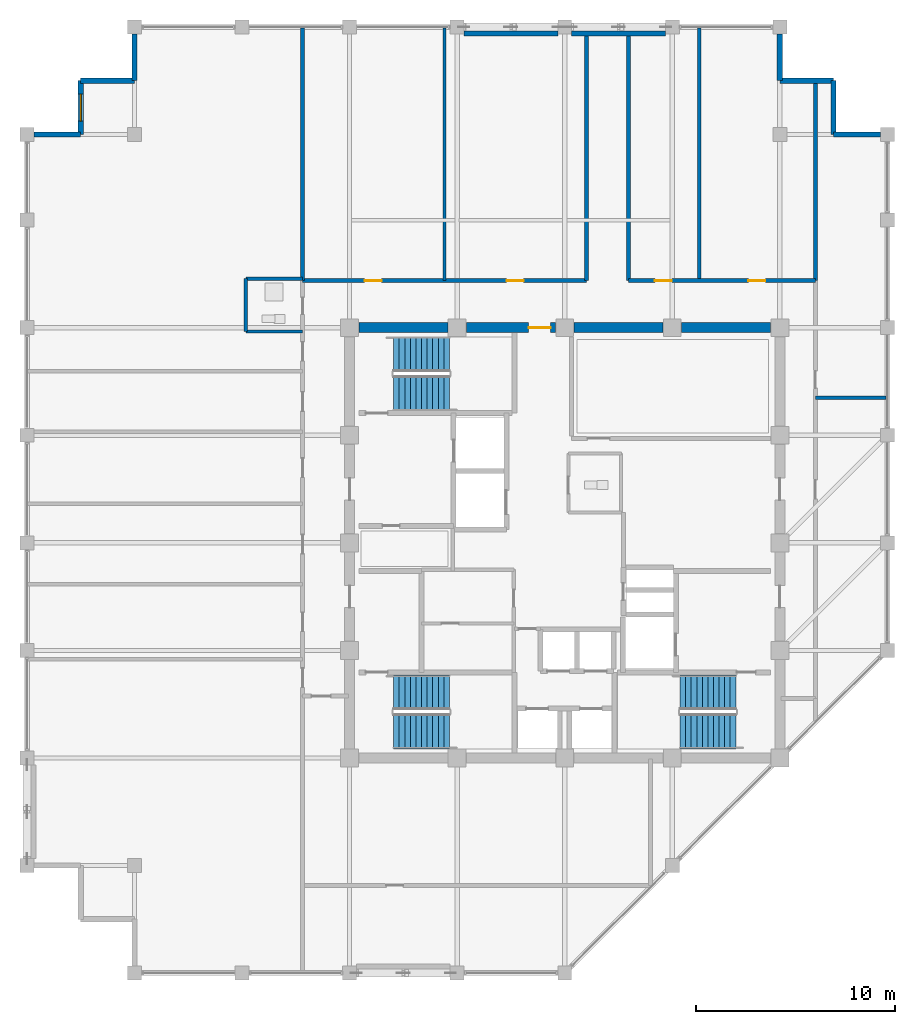
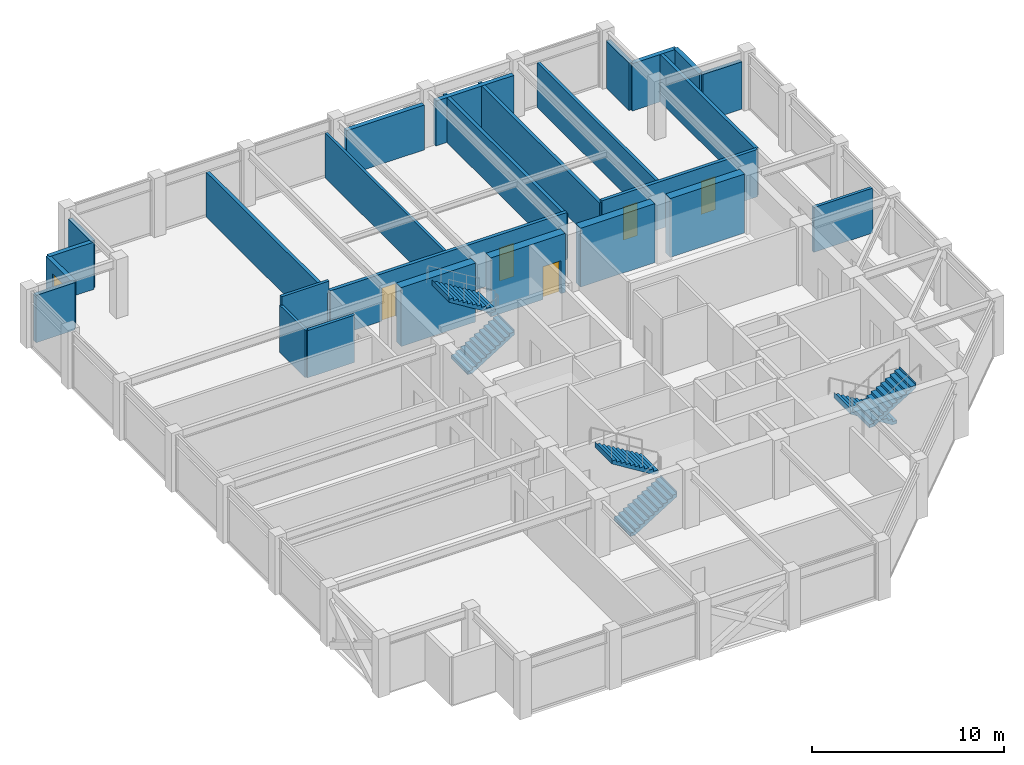
# One storey, part 28 of 30: 26 walls, 6 stair flights, 5 doors, 1 window, 6 openings, 3 elements without a shape of their own.
"""IFC4 building model written with IfcOpenShell, lengths in metres."""

import ifcopenshell
import ifcopenshell.guid

model = None  # the IFC model being written
_history = None  # IfcOwnerHistory: only IFC2X3 demands one
_inside = {}  # id of a spatial element -> (the spatial element, [elements in it])
_under = {}  # id of a project, library or spatial element -> (it, [spatial elements below it])
_declared = {}  # id of a project -> (the project, [libraries it declares])
_typed = {}  # id of a type object -> (the type object, [elements of that type])
_made_of = {}  # id of a material, layer set ... -> (it, [elements and type objects made of it])


def new_model(schema):
    """Start an empty IFC model of exactly this schema.

    Asked for "IFC4X3", IfcOpenShell would pick the latest addendum, in which some entities
    have other attributes; the version numbers below select the first issue.
    IFC2X3 requires an IfcOwnerHistory on every rooted entity: one is made here for all.
    """
    global model, _history
    if schema == "IFC4X3":
        model = ifcopenshell.file(schema_version=(4, 3, 0, 0))
    else:
        model = ifcopenshell.file(schema=schema)
    _inside.clear()
    _under.clear()
    _declared.clear()
    _typed.clear()
    _made_of.clear()
    _history = None
    if model.schema == "IFC2X3":
        org = make("IfcOrganization", Name="unknown")
        user = make(
            "IfcPersonAndOrganization",
            ThePerson=make("IfcPerson", FamilyName="unknown"),
            TheOrganization=org,
        )
        app = make(
            "IfcApplication",
            ApplicationDeveloper=org,
            Version="unknown",
            ApplicationFullName="unknown",
            ApplicationIdentifier="unknown",
        )
        _history = make(
            "IfcOwnerHistory",
            OwningUser=user,
            OwningApplication=app,
            ChangeAction="ADDED",
            CreationDate=0,
        )
    return model


def make(cls, **values):
    """One entity of the class cls with the attributes given. An attribute that is None is left unset."""
    return model.create_entity(
        cls, **{name: value for name, value in values.items() if value is not None}
    )


def rooted(cls, **values):
    """An entity with a GlobalId (a new one), such as an element, a storey or a relation."""
    return make(cls, GlobalId=ifcopenshell.guid.new(), OwnerHistory=_history, **values)


def si_unit(unit_type, name, prefix=None):
    """IfcSIUnit, for example si_unit("LENGTHUNIT", "METRE", prefix="MILLI")."""
    return make("IfcSIUnit", UnitType=unit_type, Prefix=prefix, Name=name)


def assignment(units):
    """IfcUnitAssignment: the units of a project."""
    return None if units is None else make("IfcUnitAssignment", Units=units)


def point(xyz):
    """IfcCartesianPoint."""
    return None if xyz is None else make("IfcCartesianPoint", Coordinates=xyz)


def direction(xyz):
    """IfcDirection."""
    return None if xyz is None else make("IfcDirection", DirectionRatios=xyz)


def frame(location, z_axis=None, x_axis=None):
    """IfcAxis2Placement3D, a coordinate frame: its origin and axes. An axis left out is left unset."""
    return make(
        "IfcAxis2Placement3D",
        Location=point(location),
        Axis=direction(z_axis),
        RefDirection=direction(x_axis),
    )


def frame_2d(location, x_axis=None):
    """IfcAxis2Placement2D, a coordinate frame in the plane: its origin and x axis."""
    return make(
        "IfcAxis2Placement2D", Location=point(location), RefDirection=direction(x_axis)
    )


def origin():
    """The frame at (0, 0, 0) with its axes left unset."""
    return frame((0.0, 0.0, 0.0))


def place(relative_to, where):
    """IfcLocalPlacement: puts the frame where relative to a parent placement (None: the world)."""
    return make(
        "IfcLocalPlacement", PlacementRelTo=relative_to, RelativePlacement=where
    )


def context(
    kind, dimensions, precision=None, world=None, true_north=None, identifier=None
):
    """IfcGeometricRepresentationContext, for example the 3D "Model" context."""
    return make(
        "IfcGeometricRepresentationContext",
        ContextIdentifier=identifier,
        ContextType=kind,
        CoordinateSpaceDimension=dimensions,
        Precision=precision,
        WorldCoordinateSystem=world,
        TrueNorth=true_north,
    )


def subcontext(parent, identifier, kind, view, scale=None):
    """IfcGeometricRepresentationSubContext, for example "Body" below "Model"."""
    return make(
        "IfcGeometricRepresentationSubContext",
        ContextIdentifier=identifier,
        ContextType=kind,
        ParentContext=parent,
        TargetScale=scale,
        TargetView=view,
    )


def project(units=None, contexts=None):
    """IfcProject with its units and contexts."""
    return rooted(
        "IfcProject",
        Name="project",
        RepresentationContexts=contexts,
        UnitsInContext=assignment(units),
    )


def spatial(cls, under=None, at=None, **own):
    """A site, building, storey or space (cls), placed at a placement, below another one or the project."""
    s = rooted(cls, ObjectPlacement=at, **own)
    if under is not None:
        _under.setdefault(under.id(), (under, []))[1].append(s)
    return s


def polyline(points):
    """IfcPolyline through the points."""
    return make("IfcPolyline", Points=[point(p) for p in points])


def profile(cls, at=None, kind="AREA", **sizes):
    """A parametric profile (cls). Its sizes go by their IFC names, for example OverallWidth=200.0."""
    return make(cls, ProfileType=kind, Position=at, **sizes)


def rectangle(**sizes):
    """IfcRectangleProfileDef."""
    return profile("IfcRectangleProfileDef", **sizes)


def outline(outer, holes=None, kind="AREA"):
    """IfcArbitraryClosedProfileDef: a profile drawn as a closed curve; with holes, ...WithVoids."""
    if holes is None:
        return make("IfcArbitraryClosedProfileDef", ProfileType=kind, OuterCurve=outer)
    return make(
        "IfcArbitraryProfileDefWithVoids",
        ProfileType=kind,
        OuterCurve=outer,
        InnerCurves=holes,
    )


def extrude(swept, where, along, depth):
    """IfcExtrudedAreaSolid: the profile swept, set in the frame where, extruded along a direction by depth."""
    return make(
        "IfcExtrudedAreaSolid",
        SweptArea=swept,
        Position=where,
        ExtrudedDirection=direction(along),
        Depth=depth,
    )


def shape(context_of_items, identifier, shape_type, items):
    """IfcShapeRepresentation: the items that make up one representation, for example the "Body"."""
    return make(
        "IfcShapeRepresentation",
        ContextOfItems=context_of_items,
        RepresentationIdentifier=identifier,
        RepresentationType=shape_type,
        Items=items,
    )


def material(Name=None, Category=None):
    """IfcMaterial."""
    return make("IfcMaterial", Name=Name, Category=Category)


def layer(
    of_material, thickness, ventilated=None, Name=None, Category=None, Priority=None
):
    """IfcMaterialLayer: one layer of a wall or slab, of a material (None: an air gap)."""
    return make(
        "IfcMaterialLayer",
        Material=of_material,
        LayerThickness=thickness,
        IsVentilated=ventilated,
        Name=Name,
        Category=Category,
        Priority=Priority,
    )


def layer_set(layers, Name=None):
    """IfcMaterialLayerSet."""
    return make("IfcMaterialLayerSet", MaterialLayers=layers, LayerSetName=Name)


def made_of(thing, what):
    """Note that an element or type object is made of a material, layer set ...; save() writes the relation."""
    if what is not None:
        _made_of.setdefault(what.id(), (what, []))[1].append(thing)
    return thing


def type_object(cls, material=None, **own):
    """A type object (cls), such as IfcWallType, which elements share."""
    return made_of(rooted(cls, **own), material)


def element(
    cls,
    number,
    at=None,
    inside=None,
    cuts=None,
    type_object=None,
    material=None,
    context=None,
    identifier="Body",
    shape_type=None,
    held_by="IfcProductDefinitionShape",
    body=None,
    shapes=None,
    **own,
):
    """One element of the class cls, such as IfcWall. Its Tag is "e" and its number.

    at: its placement. inside: the storey or other place that contains it. cuts: it is an
    opening in that element (IfcRelVoidsElement). A single representation is given by context,
    identifier, shape_type and body (its items); several are given by shapes. held_by: the class
    of the entity that holds the representations. save() writes the other relations.
    """
    e = rooted(cls, Tag="e%d" % number, ObjectPlacement=at, **own)
    if body is not None:
        shapes = [shape(context, identifier, shape_type, body)]
    if shapes is not None:
        e.Representation = make(held_by, Representations=shapes)
    if inside is not None:
        _inside.setdefault(inside.id(), (inside, []))[1].append(e)
    if cuts is not None:
        rooted(
            "IfcRelVoidsElement", RelatingBuildingElement=cuts, RelatedOpeningElement=e
        )
    if type_object is not None:
        _typed.setdefault(type_object.id(), (type_object, []))[1].append(e)
    return made_of(e, material)


def fill(opening, filler):
    """IfcRelFillsElement: the door or window that sits in an opening."""
    return rooted(
        "IfcRelFillsElement",
        RelatingOpeningElement=opening,
        RelatedBuildingElement=filler,
    )


def aggregate(whole, parts):
    """IfcRelAggregates: a whole, such as a stair, and the parts it consists of."""
    return rooted("IfcRelAggregates", RelatingObject=whole, RelatedObjects=parts)


def save(model, path):
    """Write the relations noted so far, then the file.

    IfcRelAggregates (storeys below a building ...), IfcRelContainedInSpatialStructure (elements
    in a storey), IfcRelDefinesByType, IfcRelAssociatesMaterial and IfcRelDeclares: one each for
    every whole, place, type object, material and project.
    """
    for whole, parts in _under.values():
        aggregate(whole, parts)
    for where, things in _inside.values():
        rooted(
            "IfcRelContainedInSpatialStructure",
            RelatedElements=things,
            RelatingStructure=where,
        )
    for kind, things in _typed.values():
        rooted("IfcRelDefinesByType", RelatedObjects=things, RelatingType=kind)
    for what, things in _made_of.values():
        rooted("IfcRelAssociatesMaterial", RelatedObjects=things, RelatingMaterial=what)
    for by, libraries in _declared.values():
        rooted("IfcRelDeclares", RelatingContext=by, RelatedDefinitions=libraries)
    model.write(path)


model = new_model("IFC4")

# Units and contexts
model_context = context("Model", 3, precision=1e-05, world=origin(), true_north=direction((0.0, 1.0)))
body_context = subcontext(model_context, "Body", "Model", "MODEL_VIEW")
ifc_project = project(units=[si_unit("LENGTHUNIT", "METRE"), si_unit("AREAUNIT", "SQUARE_METRE"), si_unit("VOLUMEUNIT", "CUBIC_METRE"), si_unit("PLANEANGLEUNIT", "RADIAN"), si_unit("MASSUNIT", "GRAM", prefix="KILO")], contexts=[model_context])

# Site, building, storey
site_placement = place(None, origin())
site = spatial("IfcSite", under=ifc_project, at=site_placement, CompositionType="ELEMENT")
building_placement = place(site_placement, origin())
building = spatial("IfcBuilding", under=site, at=building_placement, Name="Surkhivell Harbour Commons", CompositionType="ELEMENT")
storey_placement = place(building_placement, frame((0.0, 0.0, 300.0)))
storey = spatial("IfcBuildingStorey", under=building, at=storey_placement, Name="L78", CompositionType="ELEMENT", Elevation=300.0)

# Wall
ifc_material_1 = material(Name="Concrete C50/60", Category="concrete")
ifc_layer_1 = layer(ifc_material_1, 0.5)
ifc_layer_set_1 = layer_set([ifc_layer_1], Name="Concrete C50/60")
wall_type_1 = type_object("IfcWallType", Name="WAL-CORE-500", PredefinedType="SHEAR", material=ifc_layer_set_1)
wall_1_placement = place(storey_placement, frame((-10.340087890625, 10.800048828125, 0.0), z_axis=(0.0, 0.0, 1.0), x_axis=(1.0, 0.0, 0.0)))
element("IfcWall", 1, at=wall_1_placement, inside=storey, type_object=wall_type_1, Name="L78 Core Shear Wall North 1", PredefinedType="SHEAR", context=body_context, shape_type="SweptSolid", body=[
    extrude(rectangle(XDim=4.47998046875, YDim=0.5, at=frame_2d((2.239990234375, 0.0))), origin(), (0.0, 0.0, 1.0), 3.75),
])

# Wall, opening, door
wall_2_placement = place(storey_placement, frame((-4.93994140625, 10.800048828125, 0.0), z_axis=(0.0, 0.0, 1.0), x_axis=(1.0, 0.0, 0.0)))
wall_2 = element("IfcWall", 2, at=wall_2_placement, inside=storey, type_object=wall_type_1, Name="L78 Core Shear Wall North 2", PredefinedType="SHEAR", context=body_context, shape_type="SweptSolid", body=[
    extrude(rectangle(XDim=4.47998046875, YDim=0.5, at=frame_2d((2.239990234375, 0.0))), origin(), (0.0, 0.0, 1.0), 3.75),
])
opening_1_placement = place(wall_2_placement, frame((3.1298828125, 0.0, 0.0)))
opening_1 = element("IfcOpeningElement", 3, at=opening_1_placement, cuts=wall_2, Name="Opening ID-2", PredefinedType="OPENING", context=body_context, shape_type="SweptSolid", body=[
    extrude(rectangle(XDim=1.10009765625, YDim=2.10009765625, at=frame_2d((0.550048828125, 1.050048828125))), frame((0.0, 0.260009765625, 0.0), z_axis=(0.0, -1.0, 0.0), x_axis=(1.0, 0.0, 0.0)), (0.0, 0.0, 1.0), 0.52001953125),
])
ifc_material_2 = material(Name="Hardwood-veneered fire-rated door leaf", Category="wood")
door_type_1 = type_object("IfcDoorType", Name="DOR-FD60-1100", OperationType="NOTDEFINED", PredefinedType="DOOR", material=ifc_material_2)
door_1_placement = place(opening_1_placement, origin())
door_1 = element("IfcDoor", 4, at=door_1_placement, inside=storey, type_object=door_type_1, Name="L78 Central Core Lift Hall North Corridor Door", OperationType="SINGLE_SWING_LEFT", OverallHeight=2.10009765625, OverallWidth=1.10009765625, PredefinedType="DOOR", context=body_context, shape_type="SweptSolid", body=[
    extrude(rectangle(XDim=1.10009765625, YDim=2.10009765625, at=frame_2d((0.550048828125, 1.050048828125))), frame((0.0, 0.02490234375, 0.0), z_axis=(0.0, -1.0, 0.0), x_axis=(1.0, 0.0, 0.0)), (0.0, 0.0, 1.0), 0.050048828125),
])
fill(opening_1, door_1)

# Walls
for number, where, z_axis, x_axis, name in (
    (5, (0.4599609375, 10.800048828125, 0.0), (0.0, 0.0, 1.0), (1.0, 0.0, 0.0), "L78 Core Shear Wall North 3"),
    (6, (5.860107421875, 10.800048828125, 0.0), (0.0, 0.0, 1.0), (1.0, 0.0, 0.0), "L78 Core Shear Wall North 4"),
):
    element("IfcWall", number, at=place(storey_placement, frame(where, z_axis=z_axis, x_axis=x_axis)), inside=storey, type_object=wall_type_1, Name=name, PredefinedType="SHEAR", context=body_context, shape_type="SweptSolid", body=[
        extrude(rectangle(XDim=4.47998046875, YDim=0.5, at=frame_2d((2.239990234375, 0.0))), origin(), (0.0, 0.0, 1.0), 3.75),
    ])
ifc_material_3 = material(Name="Pale-metal insulated precast concrete C45/55", Category="concrete")
ifc_layer_2 = layer(ifc_material_3, 0.260009765625)
ifc_layer_set_2 = layer_set([ifc_layer_2], Name="Pale-metal insulated precast concrete C45/55")
wall_type_2 = type_object("IfcWallType", Name="WAL-EXT-MTL260", PredefinedType="STANDARD", material=ifc_layer_set_2)
wall_3_placement = place(storey_placement, frame((15.85205078125, 20.5, 0.0), z_axis=(0.0, 0.0, 1.0), x_axis=(-1.0, 0.0, 0.0)))
element("IfcWall", 7, at=wall_3_placement, inside=storey, type_object=wall_type_2, Name="L78 Serrated Corner Facade Wall 03", PredefinedType="STANDARD", context=body_context, shape_type="SweptSolid", body=[
    extrude(rectangle(XDim=2.35205078125, YDim=0.260009765625, at=frame_2d((1.176025390625, 0.0))), origin(), (0.0, 0.0, 1.0), 3.012939453125),
])
for number, where, z_axis, x_axis, name in (
    (8, (13.5, 20.5, 0.0), (0.0, 0.0, 1.0), (0.0, 1.0, 0.0), "L78 Serrated Corner Facade Wall 04"),
    (9, (13.5, 23.199951171875, 0.0), (0.0, 0.0, 1.0), (-1.0, 0.0, 0.0), "L78 Serrated Corner Facade Wall 05"),
):
    element("IfcWall", number, at=place(storey_placement, frame(where, z_axis=z_axis, x_axis=x_axis)), inside=storey, type_object=wall_type_2, Name=name, PredefinedType="STANDARD", context=body_context, shape_type="SweptSolid", body=[
        extrude(rectangle(XDim=2.699951171875, YDim=0.260009765625, at=frame_2d((1.35009765625, 0.0))), origin(), (0.0, 0.0, 1.0), 3.012939453125),
    ])
wall_4_placement = place(storey_placement, frame((10.800048828125, 23.199951171875, 0.0), z_axis=(0.0, 0.0, 1.0), x_axis=(0.0, 1.0, 0.0)))
element("IfcWall", 10, at=wall_4_placement, inside=storey, type_object=wall_type_2, Name="L78 Serrated Corner Facade Wall 06", PredefinedType="STANDARD", context=body_context, shape_type="SweptSolid", body=[
    extrude(rectangle(XDim=2.35205078125, YDim=0.260009765625, at=frame_2d((1.176025390625, 0.0))), origin(), (0.0, 0.0, 1.0), 3.012939453125),
])
for number, where, z_axis, x_axis, name in (
    (11, (-0.347900390625, 25.56494140625, 0.0), (0.0, 0.0, 1.0), (-1.0, 0.0, 0.0), "L78 Braced-Bay Insulated Spandrel Backing N"),
    (12, (5.052001953125, 25.56494140625, 0.0), (0.0, 0.0, 1.0), (-1.0, 0.0, 0.0), "L78 Braced-Bay Insulated Spandrel Backing N2"),
):
    element("IfcWall", number, at=place(storey_placement, frame(where, z_axis=z_axis, x_axis=x_axis)), inside=storey, type_object=wall_type_2, Name=name, PredefinedType="STANDARD", context=body_context, shape_type="SweptSolid", body=[
        extrude(rectangle(XDim=4.7041015625, YDim=0.260009765625, at=frame_2d((2.35205078125, 0.0))), origin(), (0.0, 0.0, 1.0), 2.85693359375),
    ])
wall_5_placement = place(storey_placement, frame((-21.60009765625, 25.552001953125, 0.0), z_axis=(0.0, 0.0, 1.0), x_axis=(0.0, -1.0, 0.0)))
element("IfcWall", 13, at=wall_5_placement, inside=storey, type_object=wall_type_2, Name="L78 Serrated Corner Facade Wall 08", PredefinedType="STANDARD", context=body_context, shape_type="SweptSolid", body=[
    extrude(rectangle(XDim=2.35205078125, YDim=0.260009765625, at=frame_2d((1.176025390625, 0.0))), origin(), (0.0, 0.0, 1.0), 3.012939453125),
])
wall_6_placement = place(storey_placement, frame((-21.60009765625, 23.199951171875, 0.0), z_axis=(0.0, 0.0, 1.0), x_axis=(-1.0, 0.0, 0.0)))
element("IfcWall", 14, at=wall_6_placement, inside=storey, type_object=wall_type_2, Name="L78 Serrated Corner Facade Wall 09", PredefinedType="STANDARD", context=body_context, shape_type="SweptSolid", body=[
    extrude(rectangle(XDim=2.699951171875, YDim=0.260009765625, at=frame_2d((1.35009765625, 0.0))), origin(), (0.0, 0.0, 1.0), 3.012939453125),
])

# Wall, opening, window
wall_7_placement = place(storey_placement, frame((-24.300048828125, 23.199951171875, 0.0), z_axis=(0.0, 0.0, 1.0), x_axis=(0.0, -1.0, 0.0)))
wall_7 = element("IfcWall", 15, at=wall_7_placement, inside=storey, type_object=wall_type_2, Name="L78 Serrated Corner Facade Wall 10", PredefinedType="STANDARD", context=body_context, shape_type="SweptSolid", body=[
    extrude(rectangle(XDim=2.699951171875, YDim=0.260009765625, at=frame_2d((1.35009765625, 0.0))), origin(), (0.0, 0.0, 1.0), 3.012939453125),
])
opening_2_placement = place(wall_7_placement, frame((0.675048828125, 0.0, 0.64990234375)))
opening_2 = element("IfcOpeningElement", 16, at=opening_2_placement, cuts=wall_7, Name="Opening WN-08", PredefinedType="OPENING", context=body_context, shape_type="SweptSolid", body=[
    extrude(rectangle(XDim=1.35009765625, YDim=1.64990234375, at=frame_2d((0.675048828125, 0.824951171875))), frame((0.0, 0.139892578125, 0.0), z_axis=(0.0, -1.0, 0.0), x_axis=(1.0, 0.0, 0.0)), (0.0, 0.0, 1.0), 0.280029296875),
])
ifc_material_4 = material(Name="Thermal-break aluminium frame and double low-E glazing", Category="aluminium")
window_type = type_object("IfcWindowType", Name="WIN-SER-1350x1650", PartitioningType="SINGLE_PANEL", PredefinedType="WINDOW", material=ifc_material_4)
window_placement = place(opening_2_placement, origin())
window = element("IfcWindow", 17, at=window_placement, inside=storey, type_object=window_type, Name="L78 Serrated Alcove Window 10", OverallHeight=1.64990234375, OverallWidth=1.35009765625, PartitioningType="SINGLE_PANEL", PredefinedType="WINDOW", context=body_context, shape_type="SweptSolid", body=[
    extrude(rectangle(XDim=1.35009765625, YDim=1.64990234375, at=frame_2d((0.675048828125, 0.824951171875))), frame((0.0, 0.030029296875, 0.0), z_axis=(0.0, -1.0, 0.0), x_axis=(1.0, 0.0, 0.0)), (0.0, 0.0, 1.0), 0.06005859375),
])
fill(opening_2, window)

# Walls
wall_8_placement = place(storey_placement, frame((-24.300048828125, 20.5, 0.0), z_axis=(0.0, 0.0, 1.0), x_axis=(-1.0, 0.0, 0.0)))
element("IfcWall", 18, at=wall_8_placement, inside=storey, type_object=wall_type_2, Name="L78 Serrated Corner Facade Wall 11", PredefinedType="STANDARD", context=body_context, shape_type="SweptSolid", body=[
    extrude(rectangle(XDim=2.35205078125, YDim=0.260009765625, at=frame_2d((1.176025390625, 0.0))), origin(), (0.0, 0.0, 1.0), 3.012939453125),
])
ifc_material_5 = material(Name="Twin-stud acoustic fireboard partition", Category="other")
ifc_layer_3 = layer(ifc_material_5, 0.14990234375)
ifc_layer_set_3 = layer_set([ifc_layer_3], Name="Twin-stud acoustic fireboard partition")
wall_type_3 = type_object("IfcWallType", Name="WAL-INT-150", PredefinedType="PARTITIONING", material=ifc_layer_set_3)
wall_9_placement = place(storey_placement, frame((-6.030029296875, 13.159912109375, 0.0), z_axis=(0.0, 0.0, 1.0), x_axis=(0.0, 1.0, 0.0)))
element("IfcWall", 19, at=wall_9_placement, inside=storey, type_object=wall_type_3, Name="L78 North-West Partition P1", PredefinedType="PARTITIONING", context=body_context, shape_type="SweptSolid", body=[
    extrude(rectangle(XDim=12.68017578125, YDim=0.14990234375, at=frame_2d((6.340087890625, 0.0))), origin(), (0.0, 0.0, 1.0), 2.85693359375),
])
ifc_material_6 = material(Name="High-density acoustic blockwork fire partition", Category="masonry")
ifc_layer_4 = layer(ifc_material_6, 0.175048828125)
ifc_layer_set_4 = layer_set([ifc_layer_4], Name="High-density acoustic blockwork fire partition")
wall_type_4 = type_object("IfcWallType", Name="WAL-INT-175", PredefinedType="PARTITIONING", material=ifc_layer_set_4)
wall_10_placement = place(storey_placement, frame((12.580078125, 7.2900390625, 0.0), z_axis=(0.0, 0.0, 1.0), x_axis=(1.0, 0.0, 0.0)))
element("IfcWall", 20, at=wall_10_placement, inside=storey, type_object=wall_type_4, Name="L78 East Partition P1", PredefinedType="PARTITIONING", context=body_context, shape_type="SweptSolid", body=[
    extrude(rectangle(XDim=3.559814453125, YDim=0.175048828125, at=frame_2d((1.77978515625, 0.0))), origin(), (0.0, 0.0, 1.0), 2.85693359375),
])
wall_11_placement = place(storey_placement, frame((6.760009765625, 13.159912109375, 0.0), z_axis=(0.0, 0.0, 1.0), x_axis=(0.0, 1.0, 0.0)))
element("IfcWall", 21, at=wall_11_placement, inside=storey, type_object=wall_type_4, Name="L78 North-East Partition P1", PredefinedType="PARTITIONING", context=body_context, shape_type="SweptSolid", body=[
    extrude(rectangle(XDim=12.68017578125, YDim=0.175048828125, at=frame_2d((6.340087890625, 0.0))), origin(), (0.0, 0.0, 1.0), 2.85693359375),
])
wall_12_placement = place(storey_placement, frame((-16.010009765625, 10.610107421875, 0.0), z_axis=(0.0, 0.0, 1.0), x_axis=(0.0, 1.0, 0.0)))
element("IfcWall", 22, at=wall_12_placement, inside=storey, type_object=wall_type_4, Name="L78 West Partition BTHB", PredefinedType="PARTITIONING", context=body_context, shape_type="SweptSolid", body=[
    extrude(rectangle(XDim=2.64990234375, YDim=0.175048828125, at=frame_2d((1.324951171875, 0.0))), origin(), (0.0, 0.0, 1.0), 3.012939453125),
])
wall_13_placement = place(storey_placement, frame((-16.010009765625, 13.260009765625, 0.0), z_axis=(0.0, 0.0, 1.0), x_axis=(1.0, 0.0, 0.0)))
element("IfcWall", 23, at=wall_13_placement, inside=storey, type_object=wall_type_4, Name="L78 West Partition BTHN", PredefinedType="PARTITIONING", context=body_context, shape_type="SweptSolid", body=[
    extrude(rectangle(XDim=2.85009765625, YDim=0.175048828125, at=frame_2d((1.425048828125, 0.0))), origin(), (0.0, 0.0, 1.0), 3.570068359375),
])
wall_14_placement = place(storey_placement, frame((-16.010009765625, 10.610107421875, 0.0), z_axis=(0.0, 0.0, 1.0), x_axis=(1.0, 0.0, 0.0)))
element("IfcWall", 24, at=wall_14_placement, inside=storey, type_object=wall_type_4, Name="L78 West Partition BTHS", PredefinedType="PARTITIONING", context=body_context, shape_type="SweptSolid", body=[
    extrude(rectangle(XDim=2.85009765625, YDim=0.175048828125, at=frame_2d((1.425048828125, 0.0))), origin(), (0.0, 0.0, 1.0), 3.012939453125),
])
ifc_material_7 = material(Name="Autoclaved aerated concrete blockwork and fire plaster", Category="masonry")
ifc_layer_5 = layer(ifc_material_7, 0.199951171875)
ifc_layer_set_5 = layer_set([ifc_layer_5], Name="Autoclaved aerated concrete blockwork and fire plaster")
wall_type_5 = type_object("IfcWallType", Name="WAL-INT-200", PredefinedType="PARTITIONING", material=ifc_layer_set_5)
wall_15_placement = place(storey_placement, frame((12.580078125, 13.159912109375, 0.0), z_axis=(0.0, 0.0, 1.0), x_axis=(0.0, 1.0, 0.0)))
element("IfcWall", 25, at=wall_15_placement, inside=storey, type_object=wall_type_5, Name="L78 North-East Corner Wall", PredefinedType="PARTITIONING", context=body_context, shape_type="SweptSolid", body=[
    extrude(rectangle(XDim=9.97998046875, YDim=0.199951171875, at=frame_2d((4.989990234375, 0.0))), origin(), (0.0, 0.0, 1.0), 3.012939453125),
])
wall_16_placement = place(storey_placement, frame((-13.159912109375, 13.159912109375, 0.0), z_axis=(0.0, 0.0, 1.0), x_axis=(0.0, 1.0, 0.0)))
element("IfcWall", 26, at=wall_16_placement, inside=storey, type_object=wall_type_5, Name="L78 North-West Corner Wall", PredefinedType="PARTITIONING", context=body_context, shape_type="SweptSolid", body=[
    extrude(rectangle(XDim=12.68017578125, YDim=0.199951171875, at=frame_2d((6.340087890625, 0.0))), origin(), (0.0, 0.0, 1.0), 2.85693359375),
])

# Wall, openings, doors
wall_17_placement = place(storey_placement, frame((-13.159912109375, 13.159912109375, 0.0), z_axis=(0.0, 0.0, 1.0), x_axis=(1.0, 0.0, 0.0)))
wall_17 = element("IfcWall", 27, at=wall_17_placement, inside=storey, type_object=wall_type_5, Name="L78 North-West Corridor Wall", PredefinedType="PARTITIONING", context=body_context, shape_type="SweptSolid", body=[
    extrude(rectangle(XDim=14.260009765625, YDim=0.199951171875, at=frame_2d((7.1298828125, 0.0))), origin(), (0.0, 0.0, 1.0), 3.012939453125),
])
opening_3_placement = place(wall_17_placement, frame((3.114990234375, 0.0, 0.0)))
opening_3 = element("IfcOpeningElement", 28, at=opening_3_placement, cuts=wall_17, Name="Opening ID-6", PredefinedType="OPENING", context=body_context, shape_type="SweptSolid", body=[
    extrude(rectangle(XDim=0.85009765625, YDim=2.10009765625, at=frame_2d((0.425048828125, 1.050048828125))), frame((0.0, 0.10986328125, 0.0), z_axis=(0.0, -1.0, 0.0), x_axis=(1.0, 0.0, 0.0)), (0.0, 0.0, 1.0), 0.219970703125),
])
opening_4_placement = place(wall_17_placement, frame((10.2451171875, 0.0, 0.0)))
opening_4 = element("IfcOpeningElement", 29, at=opening_4_placement, cuts=wall_17, Name="Opening ID-6", PredefinedType="OPENING", context=body_context, shape_type="SweptSolid", body=[
    extrude(rectangle(XDim=0.85009765625, YDim=2.10009765625, at=frame_2d((0.425048828125, 1.050048828125))), frame((0.0, 0.10986328125, 0.0), z_axis=(0.0, -1.0, 0.0), x_axis=(1.0, 0.0, 0.0)), (0.0, 0.0, 1.0), 0.219970703125),
])
door_type_2 = type_object("IfcDoorType", Name="DOR-FD30-850", OperationType="NOTDEFINED", PredefinedType="DOOR", material=ifc_material_2)
door_2_placement = place(opening_3_placement, origin())
door_2 = element("IfcDoor", 30, at=door_2_placement, inside=storey, type_object=door_type_2, Name="L78 Campus Co-Op Bookshop North-West Door", OperationType="SINGLE_SWING_LEFT", OverallHeight=2.10009765625, OverallWidth=0.85009765625, PredefinedType="DOOR", context=body_context, shape_type="SweptSolid", body=[
    extrude(rectangle(XDim=0.85009765625, YDim=2.10009765625, at=frame_2d((0.425048828125, 1.050048828125))), frame((0.0, 0.02490234375, 0.0), z_axis=(0.0, -1.0, 0.0), x_axis=(1.0, 0.0, 0.0)), (0.0, 0.0, 1.0), 0.050048828125),
])
fill(opening_3, door_2)
door_3_placement = place(opening_4_placement, origin())
door_3 = element("IfcDoor", 31, at=door_3_placement, inside=storey, type_object=door_type_2, Name="L78 Harbour Espresso Cafe Shop North-West Door", OperationType="SINGLE_SWING_RIGHT", OverallHeight=2.10009765625, OverallWidth=0.85009765625, PredefinedType="DOOR", context=body_context, shape_type="SweptSolid", body=[
    extrude(rectangle(XDim=0.85009765625, YDim=2.10009765625, at=frame_2d((0.425048828125, 1.050048828125))), frame((0.0, 0.02490234375, 0.0), z_axis=(0.0, -1.0, 0.0), x_axis=(1.0, 0.0, 0.0)), (0.0, 0.0, 1.0), 0.050048828125),
])
fill(opening_4, door_3)

wall_18_placement = place(storey_placement, frame((3.199951171875, 13.159912109375, 0.0), z_axis=(0.0, 0.0, 1.0), x_axis=(1.0, 0.0, 0.0)))
wall_18 = element("IfcWall", 32, at=wall_18_placement, inside=storey, type_object=wall_type_5, Name="L78 North-East Corridor Wall", PredefinedType="PARTITIONING", context=body_context, shape_type="SweptSolid", body=[
    extrude(rectangle(XDim=9.380126953125, YDim=0.199951171875, at=frame_2d((4.68994140625, 0.0))), origin(), (0.0, 0.0, 1.0), 3.012939453125),
])
opening_5_placement = place(wall_18_placement, frame((1.330078125, 0.0, 0.0)))
opening_5 = element("IfcOpeningElement", 33, at=opening_5_placement, cuts=wall_18, Name="Opening ID-6", PredefinedType="OPENING", context=body_context, shape_type="SweptSolid", body=[
    extrude(rectangle(XDim=0.85009765625, YDim=2.10009765625, at=frame_2d((0.425048828125, 1.050048828125))), frame((0.0, 0.10986328125, 0.0), z_axis=(0.0, -1.0, 0.0), x_axis=(1.0, 0.0, 0.0)), (0.0, 0.0, 1.0), 0.219970703125),
])
opening_6_placement = place(wall_18_placement, frame((6.02001953125, 0.0, 0.0)))
opening_6 = element("IfcOpeningElement", 34, at=opening_6_placement, cuts=wall_18, Name="Opening ID-6", PredefinedType="OPENING", context=body_context, shape_type="SweptSolid", body=[
    extrude(rectangle(XDim=0.85009765625, YDim=2.10009765625, at=frame_2d((0.425048828125, 1.050048828125))), frame((0.0, 0.10986328125, 0.0), z_axis=(0.0, -1.0, 0.0), x_axis=(1.0, 0.0, 0.0)), (0.0, 0.0, 1.0), 0.219970703125),
])
door_4_placement = place(opening_5_placement, origin())
door_4 = element("IfcDoor", 35, at=door_4_placement, inside=storey, type_object=door_type_2, Name="L78 Harbour Reading Library North-East Door", OperationType="SINGLE_SWING_LEFT", OverallHeight=2.10009765625, OverallWidth=0.85009765625, PredefinedType="DOOR", context=body_context, shape_type="SweptSolid", body=[
    extrude(rectangle(XDim=0.85009765625, YDim=2.10009765625, at=frame_2d((0.425048828125, 1.050048828125))), frame((0.0, 0.02490234375, 0.0), z_axis=(0.0, -1.0, 0.0), x_axis=(1.0, 0.0, 0.0)), (0.0, 0.0, 1.0), 0.050048828125),
])
fill(opening_5, door_4)
door_5_placement = place(opening_6_placement, origin())
door_5 = element("IfcDoor", 36, at=door_5_placement, inside=storey, type_object=door_type_2, Name="L78 Communal Dining Hall North-East Door", OperationType="SINGLE_SWING_RIGHT", OverallHeight=2.10009765625, OverallWidth=0.85009765625, PredefinedType="DOOR", context=body_context, shape_type="SweptSolid", body=[
    extrude(rectangle(XDim=0.85009765625, YDim=2.10009765625, at=frame_2d((0.425048828125, 1.050048828125))), frame((0.0, 0.02490234375, 0.0), z_axis=(0.0, -1.0, 0.0), x_axis=(1.0, 0.0, 0.0)), (0.0, 0.0, 1.0), 0.050048828125),
])
fill(opening_6, door_5)

# Walls
for number, where, z_axis, x_axis, name in (
    (37, (3.199951171875, 13.159912109375, 0.0), (0.0, 0.0, 1.0), (0.0, 1.0, 0.0), "L78 North Spur East Wall"),
    (38, (1.10009765625, 13.159912109375, 0.0), (0.0, 0.0, 1.0), (0.0, 1.0, 0.0), "L78 North Spur West Wall"),
):
    element("IfcWall", number, at=place(storey_placement, frame(where, z_axis=z_axis, x_axis=x_axis)), inside=storey, type_object=wall_type_5, Name=name, PredefinedType="PARTITIONING", context=body_context, shape_type="SweptSolid", body=[
        extrude(rectangle(XDim=12.68017578125, YDim=0.199951171875, at=frame_2d((6.340087890625, 0.0))), origin(), (0.0, 0.0, 1.0), 2.85693359375),
    ])

# Stair, stair flights
ifc_material_8 = material(Name="Precast concrete C45/55", Category="concrete")
stair_type = type_object("IfcStairType", Name="STR-DL-375", PredefinedType="HALF_TURN_STAIR", material=ifc_material_8)
stair_1_placement = place(storey_placement, origin())
stair_1 = element("IfcStair", 39, at=stair_1_placement, inside=storey, type_object=stair_type, Name="L78 Core Exit Stair ST1", PredefinedType="HALF_TURN_STAIR")
stair_flight_type = type_object("IfcStairFlightType", Name="STF-DL-375", PredefinedType="STRAIGHT", material=ifc_material_8)
stair_flight_1_placement = place(storey_placement, frame((-8.590087890625, 7.514892578125, 0.0), z_axis=(0.0, 0.0, 1.0), x_axis=(1.0, 0.0, 0.0)))
stair_flight_1 = element("IfcStairFlight", 40, at=stair_flight_1_placement, type_object=stair_flight_type, Name="ST1 flight 1", NumberOfRisers=11, NumberOfTreads=10, PredefinedType="STRAIGHT", RiserHeight=0.170454545, TreadLength=0.28, context=body_context, shape_type="SweptSolid", body=[
    extrude(outline(polyline([(-0.0029296875, -0.034912109375), (-0.0029296875, 0.0), (0.0, 0.0), (0.0, 0.17041015625), (0.280029296875, 0.17041015625), (0.280029296875, 0.3408203125), (0.56005859375, 0.3408203125), (0.56005859375, 0.511474609375), (0.840087890625, 0.511474609375), (0.840087890625, 0.681884765625), (1.1201171875, 0.681884765625), (1.1201171875, 0.852294921875), (1.39990234375, 0.852294921875), (1.39990234375, 1.022705078125), (1.679931640625, 1.022705078125), (1.679931640625, 1.193115234375), (1.9599609375, 1.193115234375), (1.9599609375, 1.363525390625), (2.239990234375, 1.363525390625), (2.239990234375, 1.5341796875), (2.52001953125, 1.5341796875), (2.52001953125, 1.70458984375), (2.800048828125, 1.70458984375), (2.800048828125, 1.875), (2.802978515625, 1.875), (2.802978515625, 1.529052734375), (0.288330078125, -0.034912109375), (-0.0029296875, -0.034912109375)])), frame((0.0, 0.875, 0.0), z_axis=(0.0, -1.0, 0.0), x_axis=(1.0, 0.0, 0.0)), (0.0, 0.0, 1.0), 1.75),
])
stair_flight_2_placement = place(storey_placement, frame((-5.7900390625, 9.465087890625, 1.875), z_axis=(0.0, 0.0, 1.0), x_axis=(-1.0, 0.0, 0.0)))
stair_flight_2 = element("IfcStairFlight", 41, at=stair_flight_2_placement, type_object=stair_flight_type, Name="ST1 flight 2", NumberOfRisers=11, NumberOfTreads=10, PredefinedType="STRAIGHT", RiserHeight=0.170454545, TreadLength=0.28, context=body_context, shape_type="SweptSolid", body=[
    extrude(outline(polyline([(-0.0029296875, -0.034912109375), (-0.0029296875, 0.0), (0.0, 0.0), (0.0, 0.17041015625), (0.280029296875, 0.17041015625), (0.280029296875, 0.3408203125), (0.56005859375, 0.3408203125), (0.56005859375, 0.511474609375), (0.840087890625, 0.511474609375), (0.840087890625, 0.681884765625), (1.1201171875, 0.681884765625), (1.1201171875, 0.852294921875), (1.39990234375, 0.852294921875), (1.39990234375, 1.022705078125), (1.679931640625, 1.022705078125), (1.679931640625, 1.193115234375), (1.9599609375, 1.193115234375), (1.9599609375, 1.363525390625), (2.239990234375, 1.363525390625), (2.239990234375, 1.5341796875), (2.52001953125, 1.5341796875), (2.52001953125, 1.70458984375), (2.800048828125, 1.70458984375), (2.800048828125, 1.875), (2.802978515625, 1.875), (2.802978515625, 1.529052734375), (0.288330078125, -0.034912109375), (-0.0029296875, -0.034912109375)])), frame((0.0, 0.875, 0.0), z_axis=(0.0, -1.0, 0.0), x_axis=(1.0, 0.0, 0.0)), (0.0, 0.0, 1.0), 1.75),
])
aggregate(stair_1, [stair_flight_1, stair_flight_2])

stair_2_placement = place(storey_placement, origin())
stair_2 = element("IfcStair", 42, at=stair_2_placement, inside=storey, type_object=stair_type, Name="L78 Core Exit Stair ST2", PredefinedType="HALF_TURN_STAIR")
stair_flight_3_placement = place(storey_placement, frame((8.590087890625, -7.514892578125, 0.0), z_axis=(0.0, 0.0, 1.0), x_axis=(-1.0, 0.0, 0.0)))
stair_flight_3 = element("IfcStairFlight", 43, at=stair_flight_3_placement, type_object=stair_flight_type, Name="ST2 flight 1", NumberOfRisers=11, NumberOfTreads=10, PredefinedType="STRAIGHT", RiserHeight=0.170454545, TreadLength=0.28, context=body_context, shape_type="SweptSolid", body=[
    extrude(outline(polyline([(-0.0029296875, -0.034912109375), (-0.0029296875, 0.0), (0.0, 0.0), (0.0, 0.17041015625), (0.280029296875, 0.17041015625), (0.280029296875, 0.3408203125), (0.56005859375, 0.3408203125), (0.56005859375, 0.511474609375), (0.840087890625, 0.511474609375), (0.840087890625, 0.681884765625), (1.1201171875, 0.681884765625), (1.1201171875, 0.852294921875), (1.39990234375, 0.852294921875), (1.39990234375, 1.022705078125), (1.679931640625, 1.022705078125), (1.679931640625, 1.193115234375), (1.9599609375, 1.193115234375), (1.9599609375, 1.363525390625), (2.239990234375, 1.363525390625), (2.239990234375, 1.5341796875), (2.52001953125, 1.5341796875), (2.52001953125, 1.70458984375), (2.800048828125, 1.70458984375), (2.800048828125, 1.875), (2.802978515625, 1.875), (2.802978515625, 1.529052734375), (0.288330078125, -0.034912109375), (-0.0029296875, -0.034912109375)])), frame((0.0, 0.875, 0.0), z_axis=(0.0, -1.0, 0.0), x_axis=(1.0, 0.0, 0.0)), (0.0, 0.0, 1.0), 1.75),
])
stair_flight_4_placement = place(storey_placement, frame((5.7900390625, -9.465087890625, 1.875), z_axis=(0.0, 0.0, 1.0), x_axis=(1.0, 0.0, 0.0)))
stair_flight_4 = element("IfcStairFlight", 44, at=stair_flight_4_placement, type_object=stair_flight_type, Name="ST2 flight 2", NumberOfRisers=11, NumberOfTreads=10, PredefinedType="STRAIGHT", RiserHeight=0.170454545, TreadLength=0.28, context=body_context, shape_type="SweptSolid", body=[
    extrude(outline(polyline([(-0.0029296875, -0.034912109375), (-0.0029296875, 0.0), (0.0, 0.0), (0.0, 0.17041015625), (0.280029296875, 0.17041015625), (0.280029296875, 0.3408203125), (0.56005859375, 0.3408203125), (0.56005859375, 0.511474609375), (0.840087890625, 0.511474609375), (0.840087890625, 0.681884765625), (1.1201171875, 0.681884765625), (1.1201171875, 0.852294921875), (1.39990234375, 0.852294921875), (1.39990234375, 1.022705078125), (1.679931640625, 1.022705078125), (1.679931640625, 1.193115234375), (1.9599609375, 1.193115234375), (1.9599609375, 1.363525390625), (2.239990234375, 1.363525390625), (2.239990234375, 1.5341796875), (2.52001953125, 1.5341796875), (2.52001953125, 1.70458984375), (2.800048828125, 1.70458984375), (2.800048828125, 1.875), (2.802978515625, 1.875), (2.802978515625, 1.529052734375), (0.288330078125, -0.034912109375), (-0.0029296875, -0.034912109375)])), frame((0.0, 0.875, 0.0), z_axis=(0.0, -1.0, 0.0), x_axis=(1.0, 0.0, 0.0)), (0.0, 0.0, 1.0), 1.75),
])
aggregate(stair_2, [stair_flight_3, stair_flight_4])

stair_3_placement = place(storey_placement, origin())
stair_3 = element("IfcStair", 45, at=stair_3_placement, inside=storey, type_object=stair_type, Name="L78 Core Exit Stair ST3", PredefinedType="HALF_TURN_STAIR")
stair_flight_5_placement = place(storey_placement, frame((-8.590087890625, -9.465087890625, 0.0), z_axis=(0.0, 0.0, 1.0), x_axis=(1.0, 0.0, 0.0)))
stair_flight_5 = element("IfcStairFlight", 46, at=stair_flight_5_placement, type_object=stair_flight_type, Name="ST3 flight 1", NumberOfRisers=11, NumberOfTreads=10, PredefinedType="STRAIGHT", RiserHeight=0.170454545, TreadLength=0.28, context=body_context, shape_type="SweptSolid", body=[
    extrude(outline(polyline([(-0.0029296875, -0.034912109375), (-0.0029296875, 0.0), (0.0, 0.0), (0.0, 0.17041015625), (0.280029296875, 0.17041015625), (0.280029296875, 0.3408203125), (0.56005859375, 0.3408203125), (0.56005859375, 0.511474609375), (0.840087890625, 0.511474609375), (0.840087890625, 0.681884765625), (1.1201171875, 0.681884765625), (1.1201171875, 0.852294921875), (1.39990234375, 0.852294921875), (1.39990234375, 1.022705078125), (1.679931640625, 1.022705078125), (1.679931640625, 1.193115234375), (1.9599609375, 1.193115234375), (1.9599609375, 1.363525390625), (2.239990234375, 1.363525390625), (2.239990234375, 1.5341796875), (2.52001953125, 1.5341796875), (2.52001953125, 1.70458984375), (2.800048828125, 1.70458984375), (2.800048828125, 1.875), (2.802978515625, 1.875), (2.802978515625, 1.529052734375), (0.288330078125, -0.034912109375), (-0.0029296875, -0.034912109375)])), frame((0.0, 0.875, 0.0), z_axis=(0.0, -1.0, 0.0), x_axis=(1.0, 0.0, 0.0)), (0.0, 0.0, 1.0), 1.75),
])
stair_flight_6_placement = place(storey_placement, frame((-5.7900390625, -7.514892578125, 1.875), z_axis=(0.0, 0.0, 1.0), x_axis=(-1.0, 0.0, 0.0)))
stair_flight_6 = element("IfcStairFlight", 47, at=stair_flight_6_placement, type_object=stair_flight_type, Name="ST3 flight 2", NumberOfRisers=11, NumberOfTreads=10, PredefinedType="STRAIGHT", RiserHeight=0.170454545, TreadLength=0.28, context=body_context, shape_type="SweptSolid", body=[
    extrude(outline(polyline([(-0.0029296875, -0.034912109375), (-0.0029296875, 0.0), (0.0, 0.0), (0.0, 0.17041015625), (0.280029296875, 0.17041015625), (0.280029296875, 0.3408203125), (0.56005859375, 0.3408203125), (0.56005859375, 0.511474609375), (0.840087890625, 0.511474609375), (0.840087890625, 0.681884765625), (1.1201171875, 0.681884765625), (1.1201171875, 0.852294921875), (1.39990234375, 0.852294921875), (1.39990234375, 1.022705078125), (1.679931640625, 1.022705078125), (1.679931640625, 1.193115234375), (1.9599609375, 1.193115234375), (1.9599609375, 1.363525390625), (2.239990234375, 1.363525390625), (2.239990234375, 1.5341796875), (2.52001953125, 1.5341796875), (2.52001953125, 1.70458984375), (2.800048828125, 1.70458984375), (2.800048828125, 1.875), (2.802978515625, 1.875), (2.802978515625, 1.529052734375), (0.288330078125, -0.034912109375), (-0.0029296875, -0.034912109375)])), frame((0.0, 0.875, 0.0), z_axis=(0.0, -1.0, 0.0), x_axis=(1.0, 0.0, 0.0)), (0.0, 0.0, 1.0), 1.75),
])
aggregate(stair_3, [stair_flight_5, stair_flight_6])

save(model, "model.ifc")
